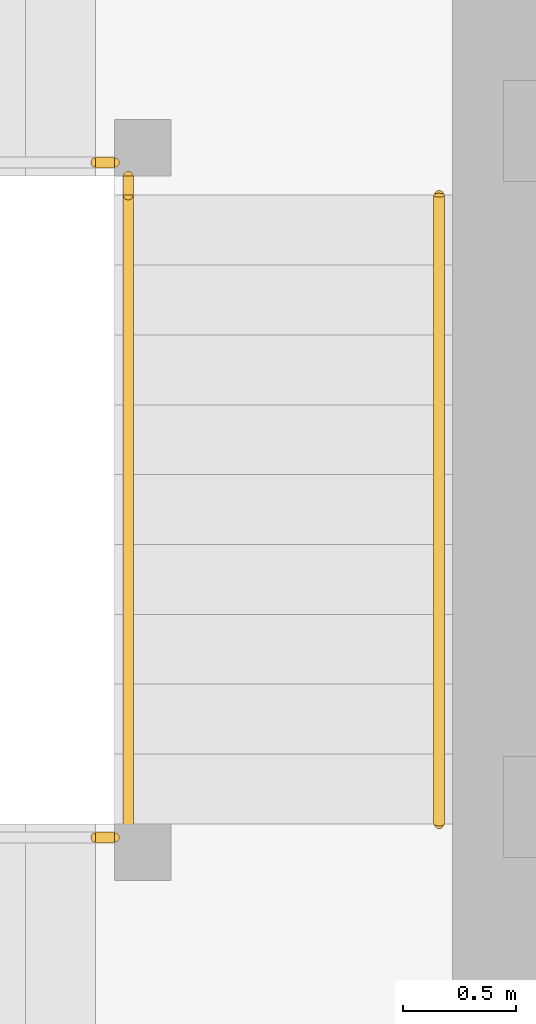
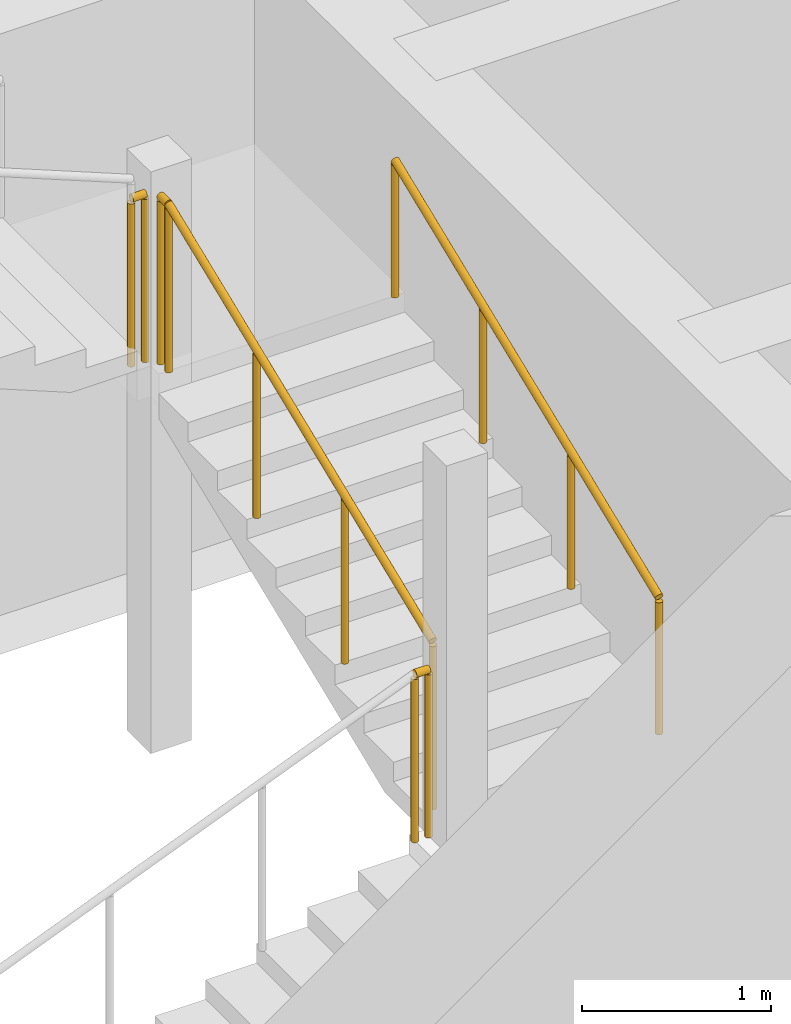
# One storey, part 36 of 40: 5 railings.
"""IFC4 building model written with IfcOpenShell, lengths in metres."""

import ifcopenshell
import ifcopenshell.guid

model = None  # the IFC model being written
_history = None  # IfcOwnerHistory: only IFC2X3 demands one
_inside = {}  # id of a spatial element -> (the spatial element, [elements in it])
_under = {}  # id of a project, library or spatial element -> (it, [spatial elements below it])
_declared = {}  # id of a project -> (the project, [libraries it declares])
_typed = {}  # id of a type object -> (the type object, [elements of that type])
_made_of = {}  # id of a material, layer set ... -> (it, [elements and type objects made of it])


def new_model(schema):
    """Start an empty IFC model of exactly this schema.

    Asked for "IFC4X3", IfcOpenShell would pick the latest addendum, in which some entities
    have other attributes; the version numbers below select the first issue.
    IFC2X3 requires an IfcOwnerHistory on every rooted entity: one is made here for all.
    """
    global model, _history
    if schema == "IFC4X3":
        model = ifcopenshell.file(schema_version=(4, 3, 0, 0))
    else:
        model = ifcopenshell.file(schema=schema)
    _inside.clear()
    _under.clear()
    _declared.clear()
    _typed.clear()
    _made_of.clear()
    _history = None
    if model.schema == "IFC2X3":
        org = make("IfcOrganization", Name="unknown")
        user = make(
            "IfcPersonAndOrganization",
            ThePerson=make("IfcPerson", FamilyName="unknown"),
            TheOrganization=org,
        )
        app = make(
            "IfcApplication",
            ApplicationDeveloper=org,
            Version="unknown",
            ApplicationFullName="unknown",
            ApplicationIdentifier="unknown",
        )
        _history = make(
            "IfcOwnerHistory",
            OwningUser=user,
            OwningApplication=app,
            ChangeAction="ADDED",
            CreationDate=0,
        )
    return model


def make(cls, **values):
    """One entity of the class cls with the attributes given. An attribute that is None is left unset."""
    return model.create_entity(
        cls, **{name: value for name, value in values.items() if value is not None}
    )


def rooted(cls, **values):
    """An entity with a GlobalId (a new one), such as an element, a storey or a relation."""
    return make(cls, GlobalId=ifcopenshell.guid.new(), OwnerHistory=_history, **values)


def si_unit(unit_type, name, prefix=None):
    """IfcSIUnit, for example si_unit("LENGTHUNIT", "METRE", prefix="MILLI")."""
    return make("IfcSIUnit", UnitType=unit_type, Prefix=prefix, Name=name)


def assignment(units):
    """IfcUnitAssignment: the units of a project."""
    return None if units is None else make("IfcUnitAssignment", Units=units)


def point(xyz):
    """IfcCartesianPoint."""
    return None if xyz is None else make("IfcCartesianPoint", Coordinates=xyz)


def direction(xyz):
    """IfcDirection."""
    return None if xyz is None else make("IfcDirection", DirectionRatios=xyz)


def frame(location, z_axis=None, x_axis=None):
    """IfcAxis2Placement3D, a coordinate frame: its origin and axes. An axis left out is left unset."""
    return make(
        "IfcAxis2Placement3D",
        Location=point(location),
        Axis=direction(z_axis),
        RefDirection=direction(x_axis),
    )


def frame_2d(location, x_axis=None):
    """IfcAxis2Placement2D, a coordinate frame in the plane: its origin and x axis."""
    return make(
        "IfcAxis2Placement2D", Location=point(location), RefDirection=direction(x_axis)
    )


def origin():
    """The frame at (0, 0, 0) with its axes left unset."""
    return frame((0.0, 0.0, 0.0))


def origin_2d():
    """The frame at (0, 0) in the plane with its x axis left unset."""
    return frame_2d((0.0, 0.0))


def place(relative_to, where):
    """IfcLocalPlacement: puts the frame where relative to a parent placement (None: the world)."""
    return make(
        "IfcLocalPlacement", PlacementRelTo=relative_to, RelativePlacement=where
    )


def context(
    kind, dimensions, precision=None, world=None, true_north=None, identifier=None
):
    """IfcGeometricRepresentationContext, for example the 3D "Model" context."""
    return make(
        "IfcGeometricRepresentationContext",
        ContextIdentifier=identifier,
        ContextType=kind,
        CoordinateSpaceDimension=dimensions,
        Precision=precision,
        WorldCoordinateSystem=world,
        TrueNorth=true_north,
    )


def subcontext(parent, identifier, kind, view, scale=None):
    """IfcGeometricRepresentationSubContext, for example "Body" below "Model"."""
    return make(
        "IfcGeometricRepresentationSubContext",
        ContextIdentifier=identifier,
        ContextType=kind,
        ParentContext=parent,
        TargetScale=scale,
        TargetView=view,
    )


def project(units=None, contexts=None):
    """IfcProject with its units and contexts."""
    return rooted(
        "IfcProject",
        Name="project",
        RepresentationContexts=contexts,
        UnitsInContext=assignment(units),
    )


def spatial(cls, under=None, at=None, **own):
    """A site, building, storey or space (cls), placed at a placement, below another one or the project."""
    s = rooted(cls, ObjectPlacement=at, **own)
    if under is not None:
        _under.setdefault(under.id(), (under, []))[1].append(s)
    return s


def profile(cls, at=None, kind="AREA", **sizes):
    """A parametric profile (cls). Its sizes go by their IFC names, for example OverallWidth=200.0."""
    return make(cls, ProfileType=kind, Position=at, **sizes)


def circle(**sizes):
    """IfcCircleProfileDef."""
    return profile("IfcCircleProfileDef", **sizes)


def extrude(swept, where, along, depth):
    """IfcExtrudedAreaSolid: the profile swept, set in the frame where, extruded along a direction by depth."""
    return make(
        "IfcExtrudedAreaSolid",
        SweptArea=swept,
        Position=where,
        ExtrudedDirection=direction(along),
        Depth=depth,
    )


def shape(context_of_items, identifier, shape_type, items):
    """IfcShapeRepresentation: the items that make up one representation, for example the "Body"."""
    return make(
        "IfcShapeRepresentation",
        ContextOfItems=context_of_items,
        RepresentationIdentifier=identifier,
        RepresentationType=shape_type,
        Items=items,
    )


def material(Name=None, Category=None):
    """IfcMaterial."""
    return make("IfcMaterial", Name=Name, Category=Category)


def made_of(thing, what):
    """Note that an element or type object is made of a material, layer set ...; save() writes the relation."""
    if what is not None:
        _made_of.setdefault(what.id(), (what, []))[1].append(thing)
    return thing


def type_object(cls, material=None, **own):
    """A type object (cls), such as IfcWallType, which elements share."""
    return made_of(rooted(cls, **own), material)


def element(
    cls,
    number,
    at=None,
    inside=None,
    cuts=None,
    type_object=None,
    material=None,
    context=None,
    identifier="Body",
    shape_type=None,
    held_by="IfcProductDefinitionShape",
    body=None,
    shapes=None,
    **own,
):
    """One element of the class cls, such as IfcWall. Its Tag is "e" and its number.

    at: its placement. inside: the storey or other place that contains it. cuts: it is an
    opening in that element (IfcRelVoidsElement). A single representation is given by context,
    identifier, shape_type and body (its items); several are given by shapes. held_by: the class
    of the entity that holds the representations. save() writes the other relations.
    """
    e = rooted(cls, Tag="e%d" % number, ObjectPlacement=at, **own)
    if body is not None:
        shapes = [shape(context, identifier, shape_type, body)]
    if shapes is not None:
        e.Representation = make(held_by, Representations=shapes)
    if inside is not None:
        _inside.setdefault(inside.id(), (inside, []))[1].append(e)
    if cuts is not None:
        rooted(
            "IfcRelVoidsElement", RelatingBuildingElement=cuts, RelatedOpeningElement=e
        )
    if type_object is not None:
        _typed.setdefault(type_object.id(), (type_object, []))[1].append(e)
    return made_of(e, material)


def aggregate(whole, parts):
    """IfcRelAggregates: a whole, such as a stair, and the parts it consists of."""
    return rooted("IfcRelAggregates", RelatingObject=whole, RelatedObjects=parts)


def save(model, path):
    """Write the relations noted so far, then the file.

    IfcRelAggregates (storeys below a building ...), IfcRelContainedInSpatialStructure (elements
    in a storey), IfcRelDefinesByType, IfcRelAssociatesMaterial and IfcRelDeclares: one each for
    every whole, place, type object, material and project.
    """
    for whole, parts in _under.values():
        aggregate(whole, parts)
    for where, things in _inside.values():
        rooted(
            "IfcRelContainedInSpatialStructure",
            RelatedElements=things,
            RelatingStructure=where,
        )
    for kind, things in _typed.values():
        rooted("IfcRelDefinesByType", RelatedObjects=things, RelatingType=kind)
    for what, things in _made_of.values():
        rooted("IfcRelAssociatesMaterial", RelatedObjects=things, RelatingMaterial=what)
    for by, libraries in _declared.values():
        rooted("IfcRelDeclares", RelatingContext=by, RelatedDefinitions=libraries)
    model.write(path)


model = new_model("IFC4")

# Units and contexts
model_context = context("Model", 3, precision=1e-05, world=origin(), true_north=direction((0.0, 1.0)))
body_context = subcontext(model_context, "Body", "Model", "MODEL_VIEW")
ifc_project = project(units=[si_unit("LENGTHUNIT", "METRE"), si_unit("AREAUNIT", "SQUARE_METRE"), si_unit("VOLUMEUNIT", "CUBIC_METRE"), si_unit("PLANEANGLEUNIT", "RADIAN"), si_unit("MASSUNIT", "GRAM", prefix="KILO")], contexts=[model_context])

# Site, building, storey
site_placement = place(None, origin())
site = spatial("IfcSite", under=ifc_project, at=site_placement, CompositionType="ELEMENT")
building_placement = place(site_placement, origin())
building = spatial("IfcBuilding", under=site, at=building_placement, Name="Rekha Terrace Tower", CompositionType="ELEMENT")
storey_placement = place(building_placement, frame((0.0, 0.0, 102.800048828125)))
storey = spatial("IfcBuildingStorey", under=building, at=storey_placement, Name="L25", CompositionType="ELEMENT", Elevation=102.800048828125)

# Railings
ifc_material_1 = material(Name="Stainless steel balustrade", Category="steel")
railing_type_1 = type_object("IfcRailingType", Name="GR1 1100 stair guard", PredefinedType="GUARDRAIL", material=ifc_material_1)
railing_1_placement = place(storey_placement, frame((30.135009765625, 41.324951171875, 1.375)))
element("IfcRailing", 1, at=railing_1_placement, inside=storey, type_object=railing_type_1, Name="Guard ST4 L25 flight 2", PredefinedType="GUARDRAIL", context=body_context, shape_type="SweptSolid", body=[
    extrude(circle(Radius=0.02392578125, at=origin_2d()), frame((0.0, 0.0, 1.076171875), z_axis=(0.0, 0.927443287984, 0.373963831907), x_axis=(-1.0, 0.0, 0.0)), (0.0, 0.0, 1.0), 3.00830078125),
    extrude(circle(Radius=0.02099609375, at=origin_2d()), origin(), (0.0, 0.0, 1.0), 1.052001953125),
    extrude(circle(Radius=0.02099609375, at=origin_2d()), frame((0.0, 0.929931640625, 0.375)), (0.0, 0.0, 1.0), 1.052001953125),
    extrude(circle(Radius=0.02099609375, at=origin_2d()), frame((0.0, 1.860107421875, 0.75)), (0.0, 0.0, 1.0), 1.052001953125),
    extrude(circle(Radius=0.02099609375, at=origin_2d()), frame((0.0, 2.7900390625, 1.125)), (0.0, 0.0, 1.0), 1.052001953125),
])
railing_2_placement = place(storey_placement, frame((29.989990234375, 41.264892578125, 1.25)))
element("IfcRailing", 2, at=railing_2_placement, inside=storey, type_object=railing_type_1, Name="Guard ST4 L25 landing 1", PredefinedType="GUARDRAIL", context=body_context, shape_type="SweptSolid", body=[
    extrude(circle(Radius=0.02392578125, at=origin_2d()), frame((0.0, 0.0, 1.076171875), z_axis=(1.0, 0.0, 0.0), x_axis=(0.0, 1.0, 0.0)), (0.0, 0.0, 1.0), 0.0849609375),
    extrude(circle(Radius=0.02099609375, at=origin_2d()), origin(), (0.0, 0.0, 1.0), 1.052001953125),
    extrude(circle(Radius=0.02099609375, at=origin_2d()), frame((0.0849609375, 0.0, 0.0)), (0.0, 0.0, 1.0), 1.052001953125),
])
railing_3_placement = place(storey_placement, frame((30.135009765625, 44.114990234375, 2.5)))
element("IfcRailing", 3, at=railing_3_placement, inside=storey, type_object=railing_type_1, Name="Guard ST4 L25 landing 2", PredefinedType="GUARDRAIL", context=body_context, shape_type="SweptSolid", body=[
    extrude(circle(Radius=0.02392578125, at=origin_2d()), frame((0.0, 0.0, 1.076171875), z_axis=(0.0, 1.0, 0.0), x_axis=(-1.0, 0.0, 0.0)), (0.0, 0.0, 1.0), 0.0849609375),
    extrude(circle(Radius=0.02099609375, at=origin_2d()), origin(), (0.0, 0.0, 1.0), 1.052001953125),
    extrude(circle(Radius=0.02099609375, at=origin_2d()), frame((0.0, 0.0849609375, 0.0)), (0.0, 0.0, 1.0), 1.052001953125),
])
railing_4_placement = place(storey_placement, frame((29.989990234375, 44.260009765625, 2.5)))
element("IfcRailing", 4, at=railing_4_placement, inside=storey, type_object=railing_type_1, Name="Guard ST4 L25 landing 3", PredefinedType="GUARDRAIL", context=body_context, shape_type="SweptSolid", body=[
    extrude(circle(Radius=0.02392578125, at=origin_2d()), frame((0.0, 0.0, 1.076171875), z_axis=(1.0, 0.0, 0.0), x_axis=(0.0, 1.0, 0.0)), (0.0, 0.0, 1.0), 0.0849609375),
    extrude(circle(Radius=0.02099609375, at=origin_2d()), origin(), (0.0, 0.0, 1.0), 1.052001953125),
    extrude(circle(Radius=0.02099609375, at=origin_2d()), frame((0.0849609375, 0.0, 0.0)), (0.0, 0.0, 1.0), 1.052001953125),
])
ifc_material_2 = material(Name="Stainless steel tube", Category="steel")
railing_type_2 = type_object("IfcRailingType", Name="HR1 900 stair handrail", PredefinedType="HANDRAIL", material=ifc_material_2)
railing_5_placement = place(storey_placement, frame((31.514892578125, 41.324951171875, 1.375)))
element("IfcRailing", 5, at=railing_5_placement, inside=storey, type_object=railing_type_2, Name="Handrail ST4 L25 flight 2", PredefinedType="HANDRAIL", context=body_context, shape_type="SweptSolid", body=[
    extrude(circle(Radius=0.02392578125, at=origin_2d()), frame((0.0, 0.0, 0.8759765625), z_axis=(0.0, 0.927443287984, 0.373963831907), x_axis=(-1.0, 0.0, 0.0)), (0.0, 0.0, 1.0), 3.00830078125),
    extrude(circle(Radius=0.02099609375, at=origin_2d()), origin(), (0.0, 0.0, 1.0), 0.851806640625),
    extrude(circle(Radius=0.02099609375, at=origin_2d()), frame((0.0, 0.929931640625, 0.375)), (0.0, 0.0, 1.0), 0.851806640625),
    extrude(circle(Radius=0.02099609375, at=origin_2d()), frame((0.0, 1.860107421875, 0.75)), (0.0, 0.0, 1.0), 0.851806640625),
    extrude(circle(Radius=0.02099609375, at=origin_2d()), frame((0.0, 2.7900390625, 1.125)), (0.0, 0.0, 1.0), 0.851806640625),
])

save(model, "model.ifc")
